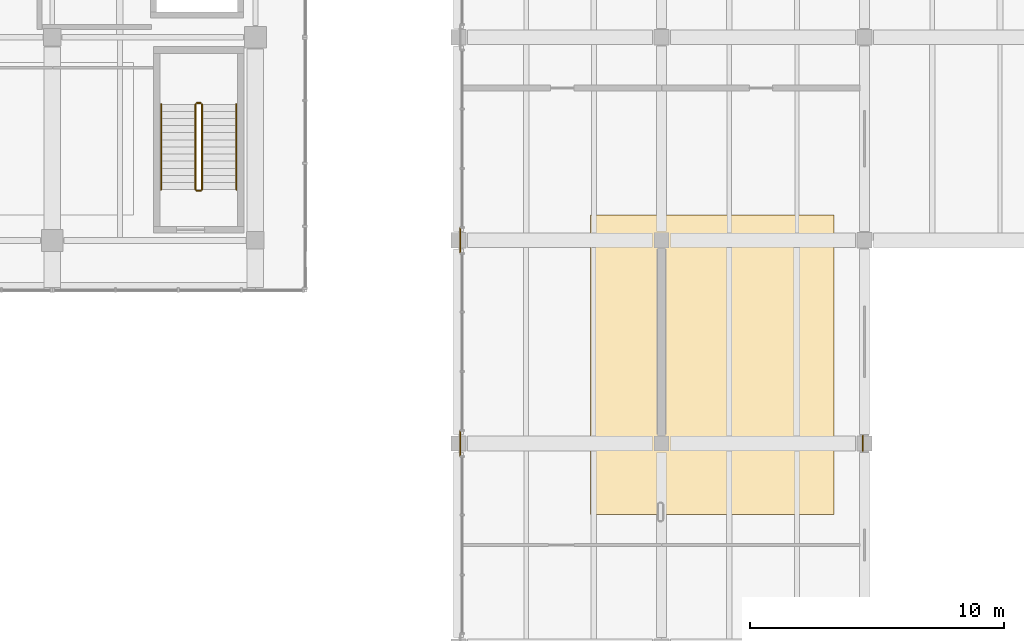
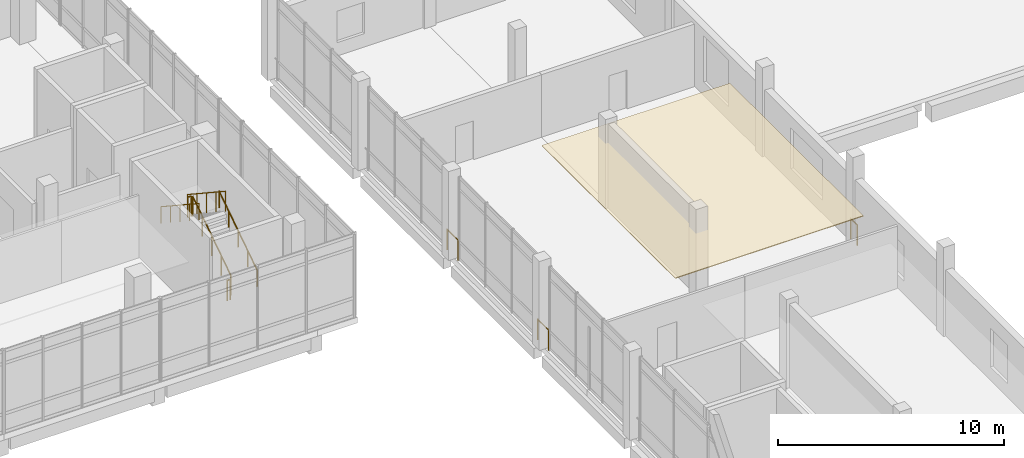
# One storey, part 44 of 47: 9 railings, 1 covering.
"""IFC4 building model written with IfcOpenShell, lengths in metres."""

from ifc_helpers import new_model, si_unit, direction, frame, origin, origin_2d, place, context, subcontext, project, spatial, polyline, circle, outline, extrude, material, layer, layer_set, type_object, element, save


model = new_model("IFC4")

# Units and contexts
model_context = context("Model", 3, precision=1e-05, world=origin(), true_north=direction((0.0, 1.0)))
body_context = subcontext(model_context, "Body", "Model", "MODEL_VIEW")
ifc_project = project(units=[si_unit("LENGTHUNIT", "METRE"), si_unit("AREAUNIT", "SQUARE_METRE"), si_unit("VOLUMEUNIT", "CUBIC_METRE"), si_unit("PLANEANGLEUNIT", "RADIAN"), si_unit("MASSUNIT", "GRAM", prefix="KILO")], contexts=[model_context])

# Site, building, storey
site_placement = place(None, origin())
site = spatial("IfcSite", under=ifc_project, at=site_placement, CompositionType="ELEMENT")
building_placement = place(site_placement, origin())
building = spatial("IfcBuilding", under=site, at=building_placement, Name="Pecanmere Concourse Central Library", CompositionType="ELEMENT")
storey_placement = place(building_placement, frame((0.0, 0.0, 15.300048828125)))
storey = spatial("IfcBuildingStorey", under=building, at=storey_placement, Name="L04", CompositionType="ELEMENT", Elevation=15.300048828125)

# Covering
ifc_material_1 = material(Name="Perforated mineral acoustic ceiling tile")
ifc_layer = layer(ifc_material_1, 0.0400390625, Name="COV_CEIL_ACOUSTIC")
ifc_layer_set = layer_set([ifc_layer], Name="Perforated mineral acoustic ceiling tile")
covering_type = type_object("IfcCoveringType", Name="COV_CEIL_ACOUSTIC", PredefinedType="CEILING", material=ifc_layer_set)
covering_placement = place(storey_placement, frame((0.0, 0.0, 3.469970703125)))
element("IfcCovering", 1, at=covering_placement, inside=storey, type_object=covering_type, Name="Acoustic Coffered Ceiling L04-018", PredefinedType="CEILING", context=body_context, shape_type="SweptSolid", body=[
    extrude(outline(polyline([(117.199951171875, 79.199951171875), (126.800048828125, 79.199951171875), (126.800048828125, 91.0), (117.199951171875, 91.0), (117.199951171875, 79.199951171875)])), origin(), (0.0, 0.0, 1.0), 0.0400390625),
])

# Railings
ifc_material_2 = material(Name="Architectural anodized bronze")
railing_type_1 = type_object("IfcRailingType", Name="RAIL_ATRIUM_BAL", PredefinedType="BALUSTRADE", material=ifc_material_2)
for number, where, name in (
    (2, (112.070068359375, 81.52001953125, 0.0), "Deck Edge Protective Balustrade L04-165"),
    (3, (112.070068359375, 89.52001953125, 0.0), "Deck Edge Protective Balustrade L04-166"),
):
    element("IfcRailing", number, at=place(storey_placement, frame(where)), inside=storey, type_object=railing_type_1, Name=name, PredefinedType="BALUSTRADE", context=body_context, shape_type="SweptSolid", body=[
        extrude(circle(Radius=0.02392578125, at=origin_2d()), frame((0.0, 0.0, 1.09619140625), z_axis=(0.0, 1.0, 0.0), x_axis=(-1.0, 0.0, 0.0)), (0.0, 0.0, 1.0), 0.9599609375),
        extrude(circle(Radius=0.02099609375, at=origin_2d()), origin(), (0.0, 0.0, 1.0), 1.072021484375),
        extrude(circle(Radius=0.02099609375, at=origin_2d()), frame((0.0, 0.9599609375, 0.0)), (0.0, 0.0, 1.0), 1.072021484375),
    ])
railing_1_placement = place(storey_placement, frame((127.929931640625, 82.294921875, 0.0)))
element("IfcRailing", 4, at=railing_1_placement, inside=storey, type_object=railing_type_1, Name="Deck Edge Protective Balustrade L04-170", PredefinedType="BALUSTRADE", context=body_context, shape_type="SweptSolid", body=[
    extrude(circle(Radius=0.02392578125, at=origin_2d()), frame((0.0, 0.0, 1.09619140625), z_axis=(0.0, -1.0, 0.0), x_axis=(1.0, 0.0, 0.0)), (0.0, 0.0, 1.0), 0.58984375),
    extrude(circle(Radius=0.02099609375, at=origin_2d()), origin(), (0.0, 0.0, 1.0), 1.072021484375),
    extrude(circle(Radius=0.02099609375, at=origin_2d()), frame((0.0, -0.58984375, 0.0)), (0.0, 0.0, 1.0), 1.072021484375),
])
ifc_material_3 = material(Name="Painted architectural steel ASTM A36", Category="steel")
railing_type_2 = type_object("IfcRailingType", Name="RAIL_STAIR_GUARD", PredefinedType="GUARDRAIL", material=ifc_material_3)
railing_2_placement = place(storey_placement, frame((101.89990234375, 92.0, 0.1845703125)))
element("IfcRailing", 5, at=railing_2_placement, inside=storey, type_object=railing_type_2, Name="L04 ST-02 Guard 1", PredefinedType="GUARDRAIL", context=body_context, shape_type="SweptSolid", body=[
    extrude(circle(Radius=0.02392578125, at=origin_2d()), frame((0.0, 0.0, 1.076171875), z_axis=(0.0, 0.834876476806, 0.550437342915), x_axis=(-1.0, 0.0, 0.0)), (0.0, 0.0, 1.0), 4.024658203125),
    extrude(circle(Radius=0.02099609375, at=origin_2d()), origin(), (0.0, 0.0, 1.0), 1.052001953125),
    extrude(circle(Radius=0.02099609375, at=origin_2d()), frame((0.0, 0.840087890625, 0.5537109375)), (0.0, 0.0, 1.0), 1.052001953125),
    extrude(circle(Radius=0.02099609375, at=origin_2d()), frame((0.0, 1.68017578125, 1.107666015625)), (0.0, 0.0, 1.0), 1.052001953125),
    extrude(circle(Radius=0.02099609375, at=origin_2d()), frame((0.0, 2.52001953125, 1.66162109375)), (0.0, 0.0, 1.0), 1.052001953125),
    extrude(circle(Radius=0.02099609375, at=origin_2d()), frame((0.0, 3.360107421875, 2.21533203125)), (0.0, 0.0, 1.0), 1.052001953125),
])
railing_3_placement = place(storey_placement, frame((101.85009765625, 95.409912109375, 2.39990234375)))
element("IfcRailing", 6, at=railing_3_placement, inside=storey, type_object=railing_type_2, Name="L04 ST-02 Guard 2", PredefinedType="GUARDRAIL", context=body_context, shape_type="SweptSolid", body=[
    extrude(circle(Radius=0.02392578125, at=origin_2d()), frame((0.0, 0.0, 1.076171875), z_axis=(-1.0, 0.0, 0.0), x_axis=(0.0, -1.0, 0.0)), (0.0, 0.0, 1.0), 0.16015625),
    extrude(circle(Radius=0.02099609375, at=origin_2d()), origin(), (0.0, 0.0, 1.0), 1.052001953125),
    extrude(circle(Radius=0.02099609375, at=origin_2d()), frame((-0.16015625, 0.0, 0.0)), (0.0, 0.0, 1.0), 1.052001953125),
])
railing_4_placement = place(storey_placement, frame((101.639892578125, 95.360107421875, 2.58447265625)))
element("IfcRailing", 7, at=railing_4_placement, inside=storey, type_object=railing_type_2, Name="L04 ST-02 Guard 3", PredefinedType="GUARDRAIL", context=body_context, shape_type="SweptSolid", body=[
    extrude(circle(Radius=0.02392578125, at=origin_2d()), frame((0.0, 0.0, 1.076171875), z_axis=(0.0, -0.834848600103, 0.550479622607), x_axis=(1.0, 0.0, 0.0)), (0.0, 0.0, 1.0), 4.02490234375),
    extrude(circle(Radius=0.02099609375, at=origin_2d()), origin(), (0.0, 0.0, 1.0), 1.052001953125),
    extrude(circle(Radius=0.02099609375, at=origin_2d()), frame((0.0, -0.840087890625, 0.553955078125)), (0.0, 0.0, 1.0), 1.052001953125),
    extrude(circle(Radius=0.02099609375, at=origin_2d()), frame((0.0, -1.68017578125, 1.10791015625)), (0.0, 0.0, 1.0), 1.052001953125),
    extrude(circle(Radius=0.02099609375, at=origin_2d()), frame((0.0, -2.52001953125, 1.66162109375)), (0.0, 0.0, 1.0), 1.052001953125),
    extrude(circle(Radius=0.02099609375, at=origin_2d()), frame((0.0, -3.360107421875, 2.215576171875)), (0.0, 0.0, 1.0), 1.052001953125),
])
railing_5_placement = place(storey_placement, frame((101.85009765625, 91.949951171875, 0.0)))
element("IfcRailing", 8, at=railing_5_placement, inside=storey, type_object=railing_type_2, Name="L04 ST-02 Guard 4", PredefinedType="GUARDRAIL", context=body_context, shape_type="SweptSolid", body=[
    extrude(circle(Radius=0.02392578125, at=origin_2d()), frame((0.0, 0.0, 1.076171875), z_axis=(-1.0, 0.0, 0.0), x_axis=(0.0, -1.0, 0.0)), (0.0, 0.0, 1.0), 0.16015625),
    extrude(circle(Radius=0.02099609375, at=origin_2d()), origin(), (0.0, 0.0, 1.0), 1.052001953125),
    extrude(circle(Radius=0.02099609375, at=origin_2d()), frame((-0.16015625, 0.0, 0.0)), (0.0, 0.0, 1.0), 1.052001953125),
])
ifc_material_4 = material(Name="Brushed stainless steel Grade 316", Category="steel")
railing_type_3 = type_object("IfcRailingType", Name="RAIL_STAIR_HR", PredefinedType="HANDRAIL", material=ifc_material_4)
railing_6_placement = place(storey_placement, frame((103.25, 92.0, 0.1845703125)))
element("IfcRailing", 9, at=railing_6_placement, inside=storey, type_object=railing_type_3, Name="L04 ST-02 Handrail 1", PredefinedType="HANDRAIL", context=body_context, shape_type="SweptSolid", body=[
    extrude(circle(Radius=0.02392578125, at=origin_2d()), frame((0.0, 0.0, 0.89111328125), z_axis=(0.0, 0.834876476806, 0.550437342915), x_axis=(-1.0, 0.0, 0.0)), (0.0, 0.0, 1.0), 4.024658203125),
    extrude(circle(Radius=0.02099609375, at=origin_2d()), origin(), (0.0, 0.0, 1.0), 0.866943359375),
    extrude(circle(Radius=0.02099609375, at=origin_2d()), frame((0.0, 0.840087890625, 0.5537109375)), (0.0, 0.0, 1.0), 0.866943359375),
    extrude(circle(Radius=0.02099609375, at=origin_2d()), frame((0.0, 1.68017578125, 1.107666015625)), (0.0, 0.0, 1.0), 0.866943359375),
    extrude(circle(Radius=0.02099609375, at=origin_2d()), frame((0.0, 2.52001953125, 1.66162109375)), (0.0, 0.0, 1.0), 0.866943359375),
    extrude(circle(Radius=0.02099609375, at=origin_2d()), frame((0.0, 3.360107421875, 2.21533203125)), (0.0, 0.0, 1.0), 0.866943359375),
])
railing_7_placement = place(storey_placement, frame((100.2900390625, 95.360107421875, 2.58447265625)))
element("IfcRailing", 10, at=railing_7_placement, inside=storey, type_object=railing_type_3, Name="L04 ST-02 Handrail 2", PredefinedType="HANDRAIL", context=body_context, shape_type="SweptSolid", body=[
    extrude(circle(Radius=0.02392578125, at=origin_2d()), frame((0.0, 0.0, 0.89111328125), z_axis=(0.0, -0.834848600103, 0.550479622607), x_axis=(1.0, 0.0, 0.0)), (0.0, 0.0, 1.0), 4.02490234375),
    extrude(circle(Radius=0.02099609375, at=origin_2d()), origin(), (0.0, 0.0, 1.0), 0.866943359375),
    extrude(circle(Radius=0.02099609375, at=origin_2d()), frame((0.0, -0.840087890625, 0.553955078125)), (0.0, 0.0, 1.0), 0.866943359375),
    extrude(circle(Radius=0.02099609375, at=origin_2d()), frame((0.0, -1.68017578125, 1.10791015625)), (0.0, 0.0, 1.0), 0.866943359375),
    extrude(circle(Radius=0.02099609375, at=origin_2d()), frame((0.0, -2.52001953125, 1.66162109375)), (0.0, 0.0, 1.0), 0.866943359375),
    extrude(circle(Radius=0.02099609375, at=origin_2d()), frame((0.0, -3.360107421875, 2.215576171875)), (0.0, 0.0, 1.0), 0.866943359375),
])

save(model, "model.ifc")
